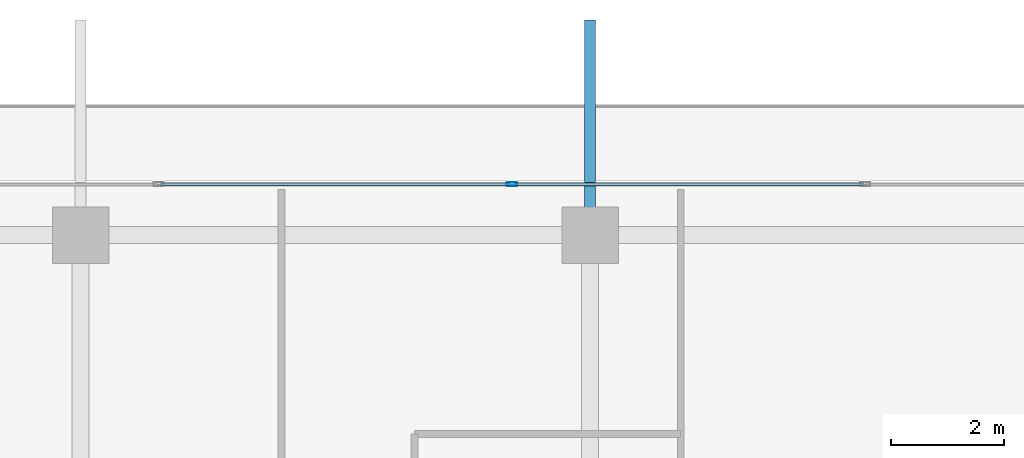
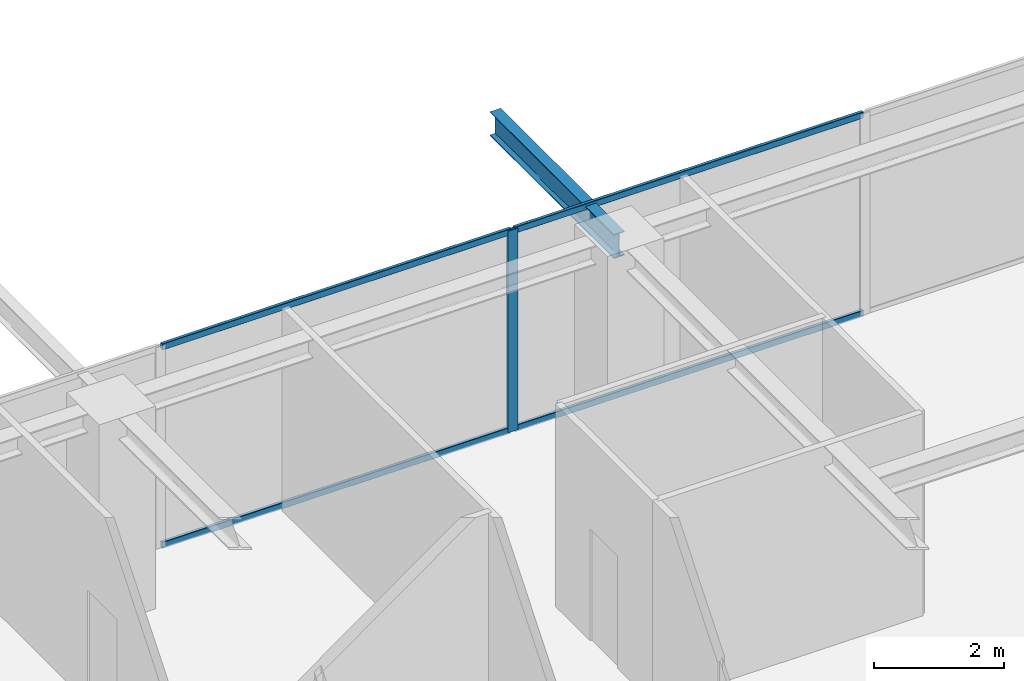
# One storey, part 24 of 42: 5 members, 1 beam, 1 element without a shape of its own.
"""IFC4 building model written with IfcOpenShell, lengths in metres."""

from ifc_helpers import new_model, si_unit, direction, frame, origin, origin_2d, place, context, subcontext, project, spatial, hollow_rectangle, i_section, extrude, source, transform, mapped, material, layer, layer_set, material_profile, profile_set, type_object, element, aggregate, save


model = new_model("IFC4")

# Units and contexts
model_context = context("Model", 3, precision=1e-05, world=origin(), true_north=direction((0.0, 1.0)))
body_context = subcontext(model_context, "Body", "Model", "MODEL_VIEW")
ifc_project = project(units=[si_unit("LENGTHUNIT", "METRE"), si_unit("AREAUNIT", "SQUARE_METRE"), si_unit("VOLUMEUNIT", "CUBIC_METRE"), si_unit("PLANEANGLEUNIT", "RADIAN"), si_unit("MASSUNIT", "GRAM", prefix="KILO")], contexts=[model_context])

# Site, building, storey
site_placement = place(None, origin())
site = spatial("IfcSite", under=ifc_project, at=site_placement, CompositionType="ELEMENT")
building_placement = place(site_placement, origin())
building = spatial("IfcBuilding", under=site, at=building_placement, Name="Serunith Strait Residences", CompositionType="ELEMENT")
storey_placement = place(building_placement, frame((0.0, 0.0, 309.64990234375)))
storey = spatial("IfcBuildingStorey", under=building, at=storey_placement, Name="L77", CompositionType="ELEMENT", Elevation=309.64990234375)

# Beam
ifc_material_1 = material(Name="Steel S355J2", Category="steel")
ifc_material_profile_1 = material_profile(ifc_material_1, i_section(OverallWidth=0.18994140625, OverallDepth=0.449951171875, WebThickness=0.009521484375, FlangeThickness=0.0146484375, FilletRadius=0.02099609375, at=origin_2d()), Name="IPE 450")
ifc_profile_set_1 = profile_set([ifc_material_profile_1], Name="Steel S355J2")
beam_type = type_object("IfcBeamType", Name="BM-IPE450", PredefinedType="JOIST", material=ifc_profile_set_1)
shared_shape_1 = source(origin(), body_context, "Body", "SweptSolid", [
    extrude(i_section(OverallWidth=0.18994140625, OverallDepth=0.449951171875, WebThickness=0.009521484375, FlangeThickness=0.0146484375, FilletRadius=0.02099609375, at=origin_2d()), origin(), (0.0, 0.0, 1.0), 3.7998046875),
])
beam_placement = place(storey_placement, frame((36.89990234375, 47.10009765625, 3.531982421875), z_axis=(0.0, 1.0, 0.0), x_axis=(-1.0, 0.0, 0.0)))
element("IfcBeam", 1, at=beam_placement, inside=storey, type_object=beam_type, Name="L78 Cantilevered Balcony Rib TC-N3", PredefinedType="JOIST", context=body_context, shape_type="MappedRepresentation", body=[
    mapped(shared_shape_1, transform((0.0, 0.0, 0.0), scale=1.0)),
])

# Curtain wall, members
ifc_material_2 = material(Name="Brushed Stainless-Silver Aluminium", Category="aluminium")
ifc_layer = layer(ifc_material_2, 0.199951171875, Name="Brushed Stainless-Silver Aluminium")
ifc_layer_set = layer_set([ifc_layer], Name="Brushed Stainless-Silver Aluminium")
curtain_wall_type = type_object("IfcCurtainWallType", Name="CW-SYS5", PredefinedType="NOTDEFINED", material=ifc_layer_set)
curtain_wall_placement = place(storey_placement, origin())
curtain_wall = element("IfcCurtainWall", 2, at=curtain_wall_placement, inside=storey, type_object=curtain_wall_type, Name="L77 N Unitised Fritted Curtain Wall", PredefinedType="NOTDEFINED")
ifc_material_profile_2 = material_profile(ifc_material_2, hollow_rectangle(XDim=0.06494140625, YDim=0.179931640625, WallThickness=0.00341796875, InnerFilletRadius=0.00537109375, OuterFilletRadius=0.0087890625, at=origin_2d()), Name="ALU 180x65x3.5")
ifc_profile_set_2 = profile_set([ifc_material_profile_2], Name="Brushed Stainless-Silver Aluminium")
member_type_1 = type_object("IfcMemberType", Name="CW-SYS5-MULL", PredefinedType="MULLION", material=ifc_profile_set_2)
shared_shape_2 = source(origin(), body_context, "Body", "SweptSolid", [
    extrude(hollow_rectangle(XDim=0.06494140625, YDim=0.179931640625, WallThickness=0.00341796875, InnerFilletRadius=0.00537109375, OuterFilletRadius=0.0087890625, at=origin_2d()), origin(), (0.0, 0.0, 1.0), 3.775146484375),
])
member_1_placement = place(storey_placement, frame((35.52001953125, 48.0, 0.0), z_axis=(0.0, 0.0, 1.0), x_axis=(0.0, -1.0, 0.0)))
member_1 = element("IfcMember", 3, at=member_1_placement, type_object=member_type_1, Name="CW-5 mullion 3", PredefinedType="MULLION", context=body_context, shape_type="MappedRepresentation", body=[
    mapped(shared_shape_2, transform((0.0, 0.0, 0.0), scale=1.0)),
])
ifc_material_profile_3 = material_profile(ifc_material_2, hollow_rectangle(XDim=0.06005859375, YDim=0.1201171875, WallThickness=0.00341796875, InnerFilletRadius=0.00537109375, OuterFilletRadius=0.0087890625, at=origin_2d()), Name="ALU 120x60x3.5")
ifc_profile_set_3 = profile_set([ifc_material_profile_3], Name="Brushed Stainless-Silver Aluminium")
member_type_2 = type_object("IfcMemberType", Name="CW-SYS5-TRAN", PredefinedType="USERDEFINED", material=ifc_profile_set_3)
shared_shape_3 = source(origin(), body_context, "Body", "SweptSolid", [
    extrude(hollow_rectangle(XDim=0.06005859375, YDim=0.1201171875, WallThickness=0.00341796875, InnerFilletRadius=0.00537109375, OuterFilletRadius=0.0087890625, at=origin_2d()), origin(), (0.0, 0.0, 1.0), 6.175048828125),
])
member_2_placement = place(storey_placement, frame((41.7275390625, 48.0, 0.030029296875), z_axis=(-1.0, 0.0, 0.0), x_axis=(0.0, -1.0, 0.0)))
member_2 = element("IfcMember", 4, at=member_2_placement, type_object=member_type_2, Name="CW-5 transom 2.1", ObjectType="TRANSOM", PredefinedType="USERDEFINED", context=body_context, shape_type="MappedRepresentation", body=[
    mapped(shared_shape_3, transform((0.0, 0.0, 0.0), scale=1.0)),
])
member_3_placement = place(storey_placement, frame((41.7275390625, 48.0, 3.7451171875), z_axis=(-1.0, 0.0, 0.0), x_axis=(0.0, -1.0, 0.0)))
member_3 = element("IfcMember", 5, at=member_3_placement, type_object=member_type_2, Name="CW-5 transom 2.2", ObjectType="TRANSOM", PredefinedType="USERDEFINED", context=body_context, shape_type="MappedRepresentation", body=[
    mapped(shared_shape_3, transform((0.0, 0.0, 0.0), scale=1.0)),
])
member_4_placement = place(storey_placement, frame((35.487548828125, 48.0, 0.030029296875), z_axis=(-1.0, 0.0, 0.0), x_axis=(0.0, -1.0, 0.0)))
member_4 = element("IfcMember", 6, at=member_4_placement, type_object=member_type_2, Name="CW-5 transom 3.1", ObjectType="TRANSOM", PredefinedType="USERDEFINED", context=body_context, shape_type="MappedRepresentation", body=[
    mapped(shared_shape_3, transform((0.0, 0.0, 0.0), scale=1.0)),
])
member_5_placement = place(storey_placement, frame((35.487548828125, 48.0, 3.7451171875), z_axis=(-1.0, 0.0, 0.0), x_axis=(0.0, -1.0, 0.0)))
member_5 = element("IfcMember", 7, at=member_5_placement, type_object=member_type_2, Name="CW-5 transom 3.2", ObjectType="TRANSOM", PredefinedType="USERDEFINED", context=body_context, shape_type="MappedRepresentation", body=[
    mapped(shared_shape_3, transform((0.0, 0.0, 0.0), scale=1.0)),
])
aggregate(curtain_wall, [member_1, member_2, member_3, member_4, member_5])

save(model, "model.ifc")
